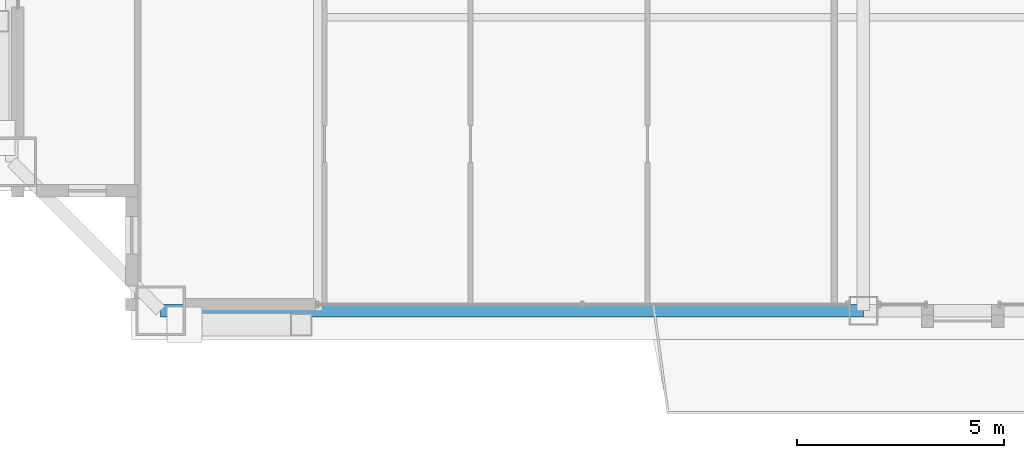
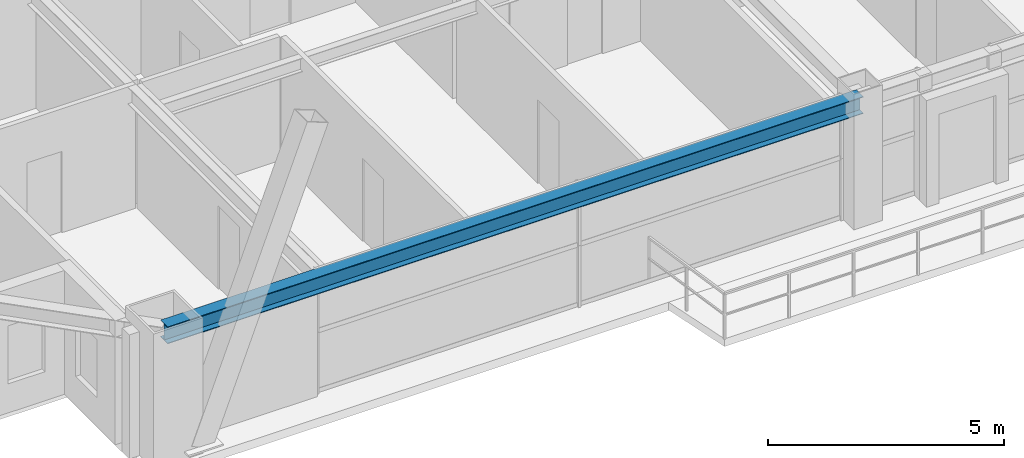
# One storey, part 4 of 36: 1 beam.
"""IFC4 building model written with IfcOpenShell, lengths in metres."""

from ifc_helpers import new_model, si_unit, direction, frame, origin, origin_2d, place, context, subcontext, project, spatial, i_section, extrude, source, transform, mapped, material, material_profile, profile_set, type_object, element, save


model = new_model("IFC4")

# Units and contexts
model_context = context("Model", 3, precision=1e-05, world=origin(), true_north=direction((0.0, 1.0)))
body_context = subcontext(model_context, "Body", "Model", "MODEL_VIEW")
ifc_project = project(units=[si_unit("LENGTHUNIT", "METRE"), si_unit("AREAUNIT", "SQUARE_METRE"), si_unit("VOLUMEUNIT", "CUBIC_METRE"), si_unit("PLANEANGLEUNIT", "RADIAN"), si_unit("MASSUNIT", "GRAM", prefix="KILO"), si_unit("THERMODYNAMICTEMPERATUREUNIT", "KELVIN"), si_unit("POWERUNIT", "WATT")], contexts=[model_context])

# Site, building, storey
site_placement = place(None, origin())
site = spatial("IfcSite", under=ifc_project, at=site_placement, CompositionType="ELEMENT")
building_placement = place(site_placement, origin())
building = spatial("IfcBuilding", under=site, at=building_placement, Name="Yuzanri Waterfront Tower", CompositionType="ELEMENT")
storey_placement = place(building_placement, frame((0.0, 0.0, 255.60009765625)))
storey = spatial("IfcBuildingStorey", under=building, at=storey_placement, Name="L68", CompositionType="ELEMENT", Elevation=255.60009765625)

# Beam
ifc_material = material(Name="Steel Q355B", Category="steel")
ifc_material_profile = material_profile(ifc_material, i_section(OverallWidth=0.300048828125, OverallDepth=0.43994140625, WebThickness=0.010986328125, FlangeThickness=0.01806640625, at=origin_2d()), Name="HM 440x300x11x18")
ifc_profile_set = profile_set([ifc_material_profile], Name="Steel Q355B")
beam_type = type_object("IfcBeamType", Name="Perimeter Spandrel Q355B HM 440x300", PredefinedType="SPANDREL", material=ifc_profile_set)
shared_shape = source(origin(), body_context, "Body", "SweptSolid", [
    extrude(i_section(OverallWidth=0.300048828125, OverallDepth=0.43994140625, WebThickness=0.010986328125, FlangeThickness=0.01806640625, at=origin_2d()), origin(), (0.0, 0.0, 1.0), 17.0),
])
beam_placement = place(storey_placement, frame((20.0, 5.199951171875, 2.97998046875), z_axis=(1.0, 0.0, 0.0), x_axis=(0.0, 1.0, 0.0)))
element("IfcBeam", 1, at=beam_placement, inside=storey, type_object=beam_type, Name="L68 Perimeter Spandrel S1-S2", PredefinedType="SPANDREL", context=body_context, shape_type="MappedRepresentation", body=[
    mapped(shared_shape, transform((0.0, 0.0, 0.0), scale=1.0)),
])

save(model, "model.ifc")
